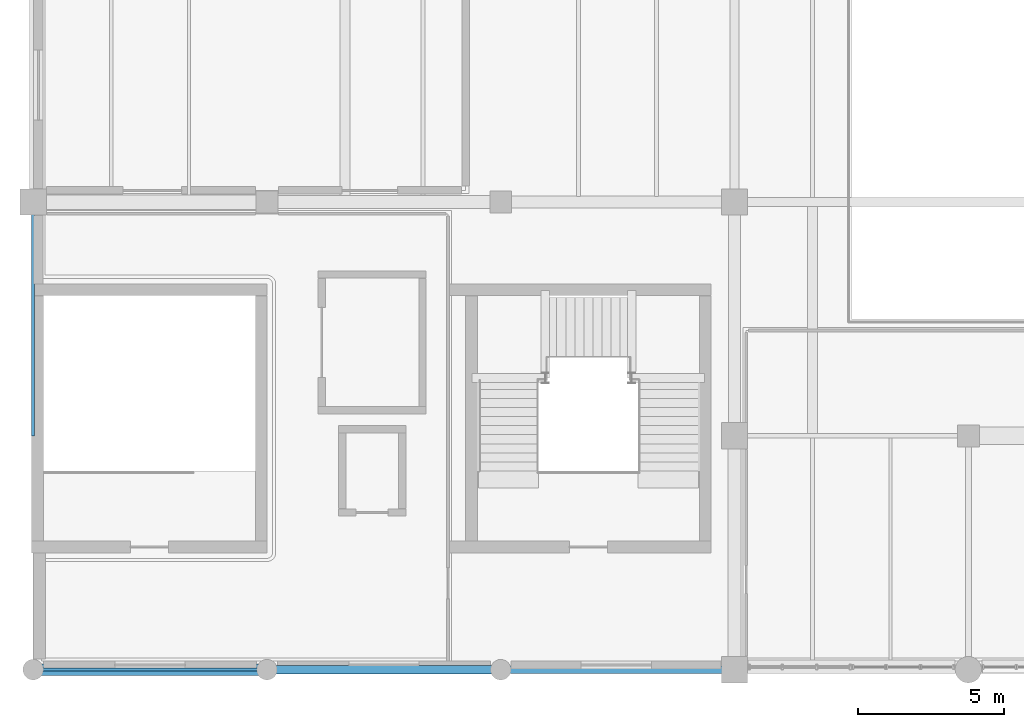
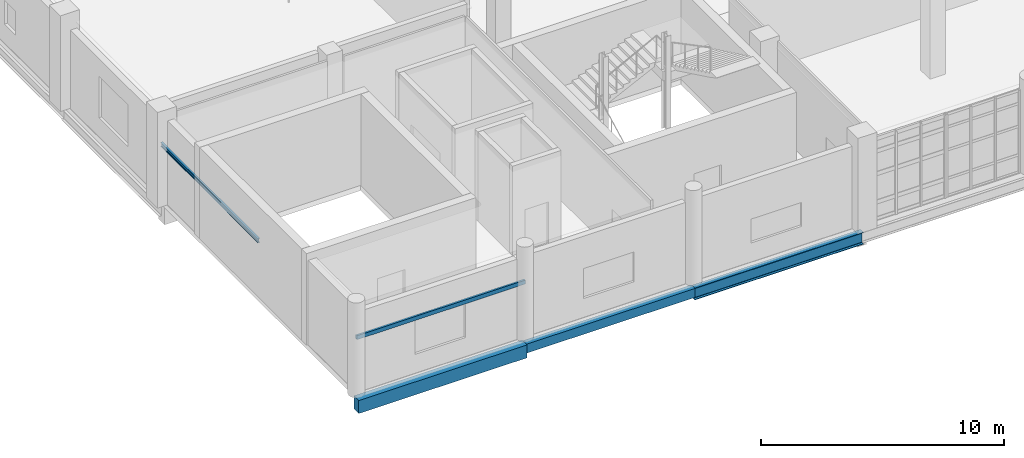
# One storey, part 14 of 100: 5 beams.
"""IFC4 building model written with IfcOpenShell, lengths in metres."""

from ifc_helpers import new_model, si_unit, derived_unit, direction, frame, origin, origin_2d, place, context, subcontext, project, spatial, rectangle, hollow_rectangle, i_section, extrude, material, material_profile, profile_set, type_object, element, save


model = new_model("IFC4")

# Units and contexts
model_context = context("Model", 3, precision=1e-05, world=origin(), true_north=direction((0.0, 1.0)))
body_context = subcontext(model_context, "Body", "Model", "MODEL_VIEW")
ifc_project = project(units=[si_unit("LENGTHUNIT", "METRE"), si_unit("AREAUNIT", "SQUARE_METRE"), si_unit("VOLUMEUNIT", "CUBIC_METRE"), si_unit("PLANEANGLEUNIT", "RADIAN"), si_unit("MASSUNIT", "GRAM", prefix="KILO"), derived_unit("THERMALTRANSMITTANCEUNIT", [(si_unit("POWERUNIT", "WATT"), 1), (si_unit("LENGTHUNIT", "METRE"), -2), (si_unit("THERMODYNAMICTEMPERATUREUNIT", "KELVIN"), -1)])], contexts=[model_context])

# Site, building, storey
site_placement = place(None, origin())
site = spatial("IfcSite", under=ifc_project, at=site_placement, CompositionType="ELEMENT")
building_placement = place(site_placement, origin())
building = spatial("IfcBuilding", under=site, at=building_placement, Name="Nallur Shell Playhouse", CompositionType="ELEMENT")
storey_placement = place(building_placement, frame((0.0, 0.0, 10.199951171875)))
storey = spatial("IfcBuildingStorey", under=building, at=storey_placement, Name="L03", CompositionType="ELEMENT", Elevation=10.199951171875)

# Beams
ifc_material_1 = material(Name="Steel E250", Category="steel")
ifc_material_profile_1 = material_profile(ifc_material_1, i_section(OverallWidth=0.10009765625, OverallDepth=0.199951171875, WebThickness=0.005615234375, FlangeThickness=0.0107421875, FilletRadius=0.010986328125, at=origin_2d()), Name="ISMB 200")
ifc_profile_set_1 = profile_set([ifc_material_profile_1], Name="Steel E250")
beam_type_1 = type_object("IfcBeamType", Name="BM-LIN-ISMB200", PredefinedType="LINTEL", material=ifc_profile_set_1)
beam_1_placement = place(storey_placement, frame((16.0, 16.0, 2.800048828125), z_axis=(0.0, 1.0, 0.0), x_axis=(-1.0, 0.0, 0.0)))
element("IfcBeam", 1, at=beam_1_placement, inside=storey, type_object=beam_type_1, Name="L03 colonnade portal lintel 009", PredefinedType="LINTEL", context=body_context, shape_type="SweptSolid", body=[
    extrude(i_section(OverallWidth=0.10009765625, OverallDepth=0.199951171875, WebThickness=0.005615234375, FlangeThickness=0.0107421875, FilletRadius=0.010986328125, at=origin_2d()), origin(), (0.0, 0.0, 1.0), 8.0),
])
ifc_material_profile_2 = material_profile(ifc_material_1, hollow_rectangle(XDim=0.10009765625, YDim=0.199951171875, WallThickness=0.008056640625, at=origin_2d()), Name="RHS 200x100x8")
ifc_profile_set_2 = profile_set([ifc_material_profile_2], Name="Steel E250")
beam_type_2 = type_object("IfcBeamType", Name="BM-LIN-RHS200", PredefinedType="LINTEL", material=ifc_profile_set_2)
beam_2_placement = place(storey_placement, frame((16.0, 8.0, 2.800048828125), z_axis=(1.0, 0.0, 0.0), x_axis=(0.0, 1.0, 0.0)))
element("IfcBeam", 2, at=beam_2_placement, inside=storey, type_object=beam_type_2, Name="L03 colonnade portal lintel 010", PredefinedType="LINTEL", context=body_context, shape_type="SweptSolid", body=[
    extrude(hollow_rectangle(XDim=0.10009765625, YDim=0.199951171875, WallThickness=0.008056640625, at=origin_2d()), origin(), (0.0, 0.0, 1.0), 8.0),
])
ifc_material_2 = material(Name="Concrete M35", Category="concrete")
ifc_material_profile_3 = material_profile(ifc_material_2, rectangle(XDim=0.39990234375, YDim=0.64990234375, at=origin_2d()), Name="RC 400x650")
ifc_profile_set_3 = profile_set([ifc_material_profile_3], Name="Concrete M35")
beam_type_3 = type_object("IfcBeamType", Name="BM-RC-400x650", PredefinedType="BEAM", material=ifc_profile_set_3)
beam_3_placement = place(storey_placement, frame((16.0, 8.0, -0.5849609375), z_axis=(1.0, 0.0, 0.0), x_axis=(0.0, 1.0, 0.0)))
element("IfcBeam", 3, at=beam_3_placement, inside=storey, type_object=beam_type_3, Name="L03 girder X-A-575", PredefinedType="BEAM", context=body_context, shape_type="SweptSolid", body=[
    extrude(rectangle(XDim=0.39990234375, YDim=0.64990234375, at=origin_2d()), origin(), (0.0, 0.0, 1.0), 8.0),
])
ifc_material_profile_4 = material_profile(ifc_material_2, rectangle(XDim=0.300048828125, YDim=0.449951171875, at=origin_2d()), Name="RC 300x450")
ifc_profile_set_4 = profile_set([ifc_material_profile_4], Name="Concrete M35")
beam_type_4 = type_object("IfcBeamType", Name="BM-SPN-300x450", PredefinedType="SPANDREL", material=ifc_profile_set_4)
beam_4_placement = place(storey_placement, frame((24.0, 8.0, -0.48486328125), z_axis=(1.0, 0.0, 0.0), x_axis=(0.0, 1.0, 0.0)))
element("IfcBeam", 4, at=beam_4_placement, inside=storey, type_object=beam_type_4, Name="L03 girder X-A-576", PredefinedType="SPANDREL", context=body_context, shape_type="SweptSolid", body=[
    extrude(rectangle(XDim=0.300048828125, YDim=0.449951171875, at=origin_2d()), origin(), (0.0, 0.0, 1.0), 8.0),
])
ifc_material_3 = material(Name="Steel E350", Category="steel")
ifc_material_profile_5 = material_profile(ifc_material_3, i_section(OverallWidth=0.25, OverallDepth=0.60009765625, WebThickness=0.01171875, FlangeThickness=0.023681640625, FilletRadius=0.01708984375, at=origin_2d()), Name="ISWB 600")
ifc_profile_set_5 = profile_set([ifc_material_profile_5], Name="Steel E350")
beam_type_5 = type_object("IfcBeamType", Name="BM-ST-ISWB600", PredefinedType="BEAM", material=ifc_profile_set_5)
beam_5_placement = place(storey_placement, frame((32.0, 8.0, -0.56005859375), z_axis=(1.0, 0.0, 0.0), x_axis=(0.0, 1.0, 0.0)))
element("IfcBeam", 5, at=beam_5_placement, inside=storey, type_object=beam_type_5, Name="L03 girder X-A-577", PredefinedType="BEAM", context=body_context, shape_type="SweptSolid", body=[
    extrude(i_section(OverallWidth=0.25, OverallDepth=0.60009765625, WebThickness=0.01171875, FlangeThickness=0.023681640625, FilletRadius=0.01708984375, at=origin_2d()), origin(), (0.0, 0.0, 1.0), 8.0),
])

save(model, "model.ifc")
